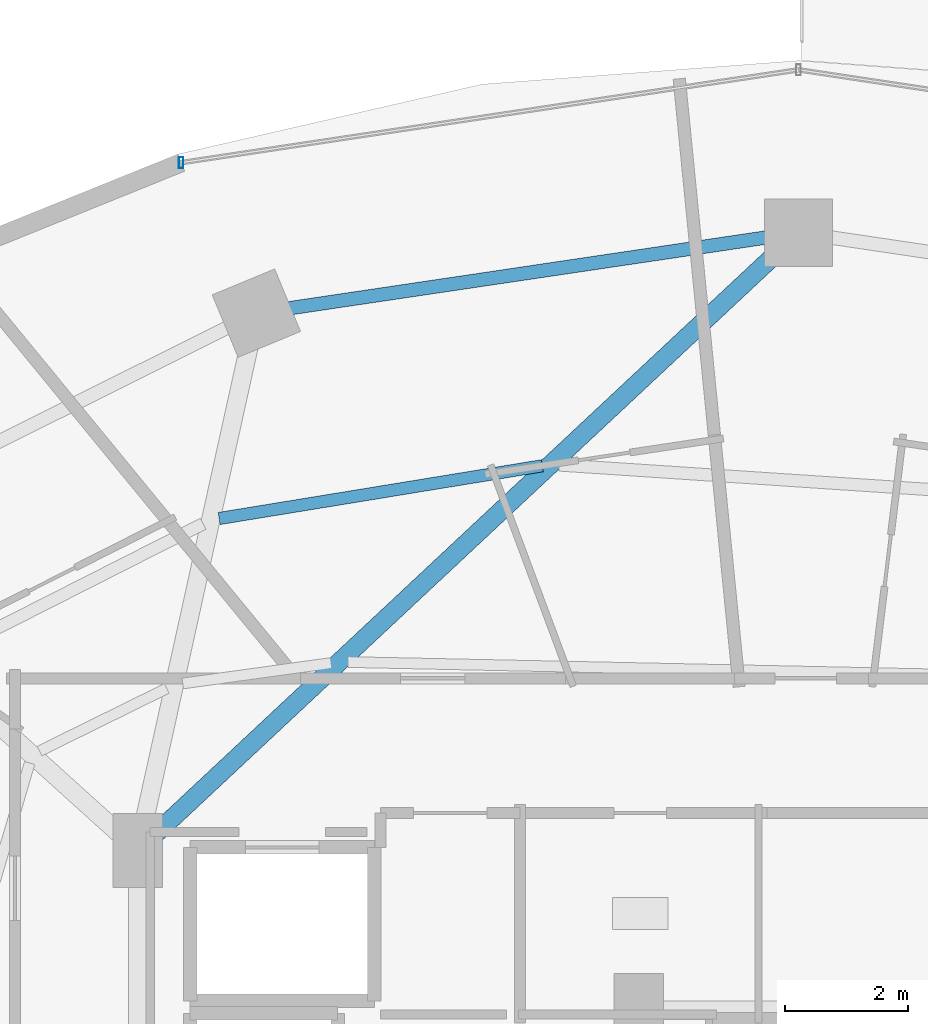
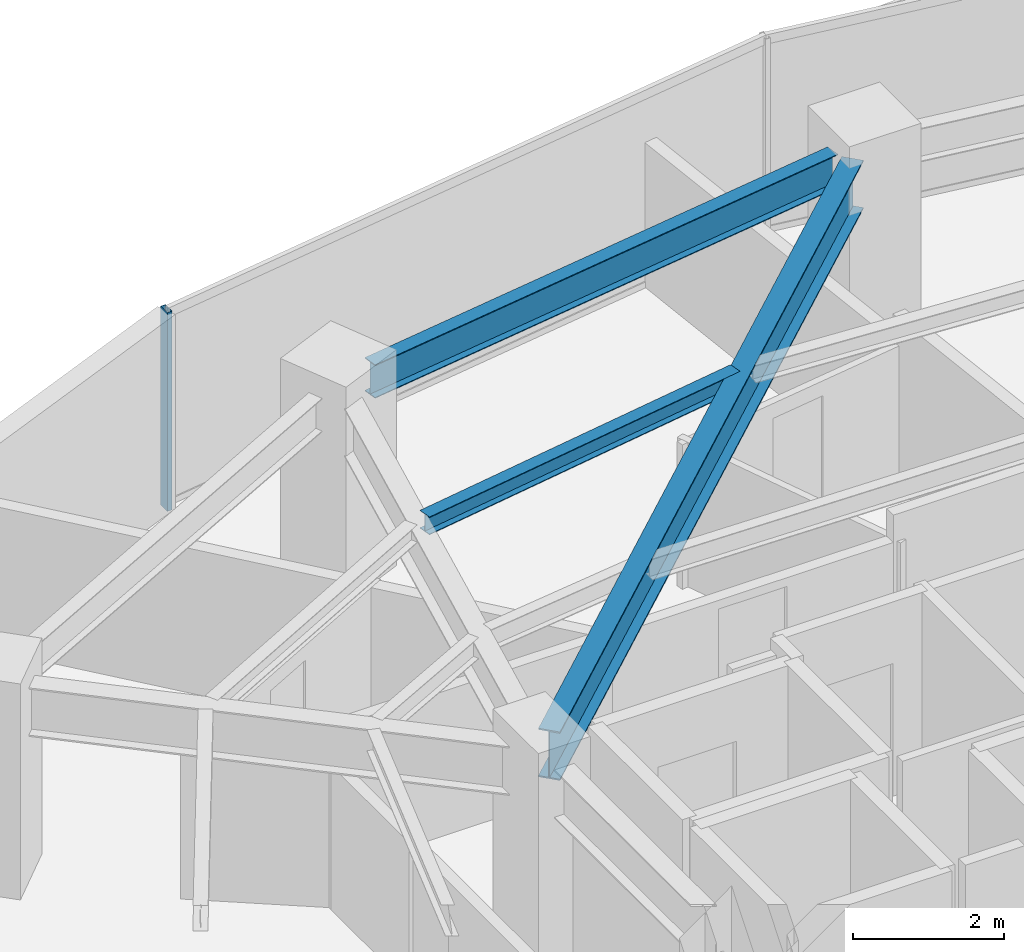
# One storey, part 17 of 29: 3 beams, 1 member, 1 element without a shape of its own.
"""IFC4 building model written with IfcOpenShell, lengths in metres."""

from ifc_helpers import new_model, si_unit, direction, frame, origin, origin_2d, place, context, subcontext, project, spatial, hollow_rectangle, i_section, extrude, material, material_profile, profile_set, type_object, element, aggregate, save


model = new_model("IFC4")

# Units and contexts
model_context = context("Model", 3, precision=1e-05, world=origin(), true_north=direction((0.0, 1.0)))
body_context = subcontext(model_context, "Body", "Model", "MODEL_VIEW")
ifc_project = project(units=[si_unit("LENGTHUNIT", "METRE"), si_unit("AREAUNIT", "SQUARE_METRE"), si_unit("VOLUMEUNIT", "CUBIC_METRE"), si_unit("PLANEANGLEUNIT", "RADIAN"), si_unit("MASSUNIT", "GRAM", prefix="KILO")], contexts=[model_context])

# Site, building, storey
site_placement = place(None, origin())
site = spatial("IfcSite", under=ifc_project, at=site_placement, CompositionType="ELEMENT")
building_placement = place(site_placement, origin())
building = spatial("IfcBuilding", under=site, at=building_placement, Name="Vorneva Point Tower", CompositionType="ELEMENT")
storey_placement = place(building_placement, frame((0.0, 0.0, 120.800048828125)))
storey = spatial("IfcBuildingStorey", under=building, at=storey_placement, Name="L32", CompositionType="ELEMENT", Elevation=120.800048828125)

# Beams
ifc_material_1 = material(Name="Steel S355", Category="steel")
ifc_material_profile_1 = material_profile(ifc_material_1, i_section(OverallWidth=0.300048828125, OverallDepth=0.7880859375, WebThickness=0.014404296875, FlangeThickness=0.02197265625, at=origin_2d()), Name="80Sh1")
ifc_profile_set_1 = profile_set([ifc_material_profile_1], Name="Steel S355")
beam_type_1 = type_object("IfcBeamType", Name="BM-GRD-80Sh1", PredefinedType="USERDEFINED", material=ifc_profile_set_1)
beam_1_placement = place(storey_placement, frame((37.60693359375, 42.83251953125, 2.755859375), z_axis=(-0.730488863256, -0.682924608327, 0.0), x_axis=(0.682924608327, -0.730488863256, 0.0)))
element("IfcBeam", 1, at=beam_1_placement, inside=storey, type_object=beam_type_1, Name="L32 Radial Primary Girder 05", ObjectType="GIRDER", PredefinedType="USERDEFINED", context=body_context, shape_type="SweptSolid", body=[
    extrude(i_section(OverallWidth=0.300048828125, OverallDepth=0.7880859375, WebThickness=0.014404296875, FlangeThickness=0.02197265625, at=origin_2d()), origin(), (0.0, 0.0, 1.0), 13.838134765625),
])
ifc_material_profile_2 = material_profile(ifc_material_1, i_section(OverallWidth=0.199951171875, OverallDepth=0.291015625, WebThickness=0.008056640625, FlangeThickness=0.010986328125, at=origin_2d()), Name="30Sh1")
ifc_profile_set_2 = profile_set([ifc_material_profile_2], Name="Steel S355")
beam_type_2 = type_object("IfcBeamType", Name="BM-SEC-30Sh1", PredefinedType="BEAM", material=ifc_profile_set_2)
beam_2_placement = place(storey_placement, frame((33.831787109375, 39.408203125, 3.00439453125), z_axis=(-0.986930947591, -0.161143739214, 0.0), x_axis=(0.161143739214, -0.986930947591, 0.0)))
element("IfcBeam", 2, at=beam_2_placement, inside=storey, type_object=beam_type_2, Name="L32 Secondary Floor Beam 1.05", PredefinedType="BEAM", context=body_context, shape_type="SweptSolid", body=[
    extrude(i_section(OverallWidth=0.199951171875, OverallDepth=0.291015625, WebThickness=0.008056640625, FlangeThickness=0.010986328125, at=origin_2d()), origin(), (0.0, 0.0, 1.0), 5.328369140625),
])
ifc_material_profile_3 = material_profile(ifc_material_1, i_section(OverallWidth=0.219970703125, OverallDepth=0.54296875, WebThickness=0.009521484375, FlangeThickness=0.013427734375, at=origin_2d()), Name="55B1")
ifc_profile_set_3 = profile_set([ifc_material_profile_3], Name="Steel S355")
beam_type_3 = type_object("IfcBeamType", Name="BM-SPN-55B1", PredefinedType="SPANDREL", material=ifc_profile_set_3)
beam_3_placement = place(storey_placement, frame((37.470703125, 43.121337890625, 2.87841796875), z_axis=(-0.989164507783, -0.146811363806, 0.0), x_axis=(0.146811363806, -0.989164507783, 0.0)))
element("IfcBeam", 3, at=beam_3_placement, inside=storey, type_object=beam_type_3, Name="L32 Perimeter Spandrel Ring Beam 05", PredefinedType="SPANDREL", context=body_context, shape_type="SweptSolid", body=[
    extrude(i_section(OverallWidth=0.219970703125, OverallDepth=0.54296875, WebThickness=0.009521484375, FlangeThickness=0.013427734375, at=origin_2d()), origin(), (0.0, 0.0, 1.0), 7.847412109375),
])

# Curtain wall, member
ifc_material_2 = material(Name="Pale anodised aluminium", Category="aluminium")
curtain_wall_type = type_object("IfcCurtainWallType", Name="CW-HTL-SYS", PredefinedType="NOTDEFINED", material=ifc_material_2)
curtain_wall_placement = place(storey_placement, origin())
curtain_wall = element("IfcCurtainWall", 4, at=curtain_wall_placement, inside=storey, type_object=curtain_wall_type, Name="L32 Unitised Curtain Wall CW-L32-R01", PredefinedType="NOTDEFINED")
ifc_material_profile_4 = material_profile(ifc_material_2, hollow_rectangle(XDim=0.074951171875, YDim=0.179931640625, WallThickness=0.00390625, at=origin_2d()), Name="AL-MUL 180x75x4")
ifc_profile_set_4 = profile_set([ifc_material_profile_4], Name="Pale anodised aluminium")
member_type = type_object("IfcMemberType", Name="CW-MUL-180", PredefinedType="MULLION", material=ifc_profile_set_4)
member_placement = place(storey_placement, frame((27.95458984375, 44.339111328125, -0.0400390625), z_axis=(0.0, 0.0, 1.0), x_axis=(1.0, 0.0, 0.0)))
member = element("IfcMember", 5, at=member_placement, type_object=member_type, Name="CW-L32-R01 Mullion 05", PredefinedType="MULLION", context=body_context, shape_type="SweptSolid", body=[
    extrude(hollow_rectangle(XDim=0.074951171875, YDim=0.179931640625, WallThickness=0.00390625, at=origin_2d()), origin(), (0.0, 0.0, 1.0), 3.219970703125),
])
aggregate(curtain_wall, [member])

save(model, "model.ifc")
